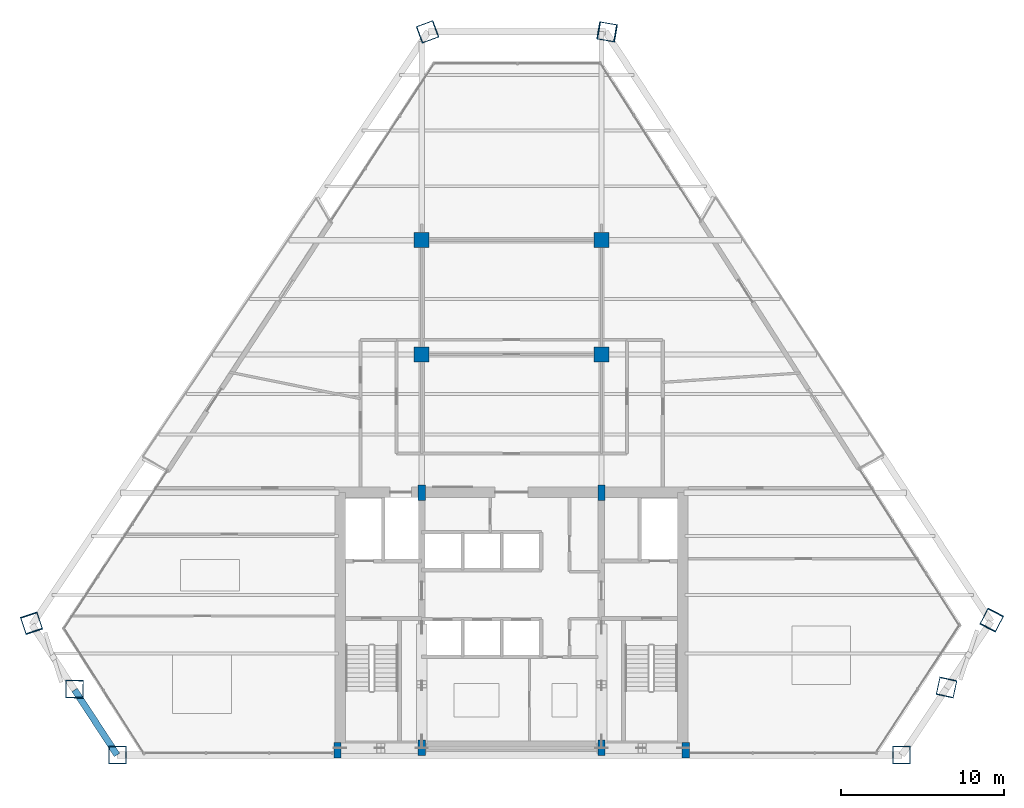
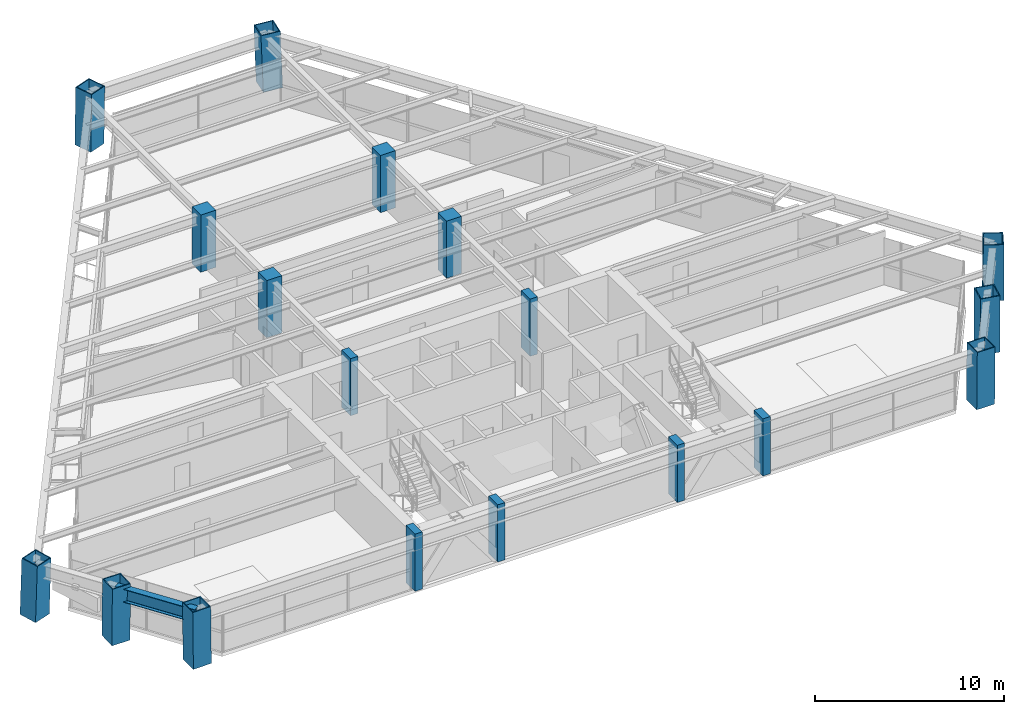
# One storey, part 1 of 14: 18 columns, 1 beam.
"""IFC4 building model written with IfcOpenShell, lengths in metres."""

from ifc_helpers import new_model, si_unit, direction, frame, origin, origin_2d, place, context, subcontext, project, spatial, rectangle, hollow_rectangle, i_section, extrude, source, transform, mapped, material, material_profile, profile_set, type_object, element, save


model = new_model("IFC4")

# Units and contexts
model_context = context("Model", 3, precision=1e-05, world=origin(), true_north=direction((0.0, 1.0)))
body_context = subcontext(model_context, "Body", "Model", "MODEL_VIEW")
ifc_project = project(units=[si_unit("LENGTHUNIT", "METRE"), si_unit("AREAUNIT", "SQUARE_METRE"), si_unit("VOLUMEUNIT", "CUBIC_METRE"), si_unit("PLANEANGLEUNIT", "RADIAN"), si_unit("MASSUNIT", "GRAM", prefix="KILO")], contexts=[model_context])

# Site, building, storey
site_placement = place(None, origin())
site = spatial("IfcSite", under=ifc_project, at=site_placement, CompositionType="ELEMENT")
building_placement = place(site_placement, origin())
building = spatial("IfcBuilding", under=site, at=building_placement, Name="Varnakhor Terracotta Tower", CompositionType="ELEMENT")
storey_placement = place(building_placement, frame((0.0, 0.0, 133.0)))
storey = spatial("IfcBuildingStorey", under=building, at=storey_placement, Name="L33", CompositionType="ELEMENT", Elevation=133.0)

# Columns
ifc_material_1 = material(Name="Concrete C50/60", Category="concrete")
ifc_material_profile_1 = material_profile(ifc_material_1, rectangle(XDim=0.449951171875, YDim=0.949951171875, at=origin_2d()), Name="RC PILASTER 950x450")
ifc_profile_set_1 = profile_set([ifc_material_profile_1], Name="Concrete C50/60")
column_type_1 = type_object("IfcColumnType", Name="COL-PIL-950x450", PredefinedType="PILASTER", material=ifc_profile_set_1)
shared_shape_1 = source(origin(), body_context, "Body", "SweptSolid", [
    extrude(rectangle(XDim=0.449951171875, YDim=0.949951171875, at=origin_2d()), origin(), (0.0, 0.0, 1.0), 3.699951171875),
])
for number, where, z_axis, x_axis, name in (
    (1, (-10.64990234375, 0.300048828125, 0.0), (0.0, 0.0, 1.0), (1.0, 0.0, 0.0), "L33 Core Pilaster CP1"),
    (2, (-5.5, 0.449951171875, 0.0), (0.0, 0.0, 1.0), (1.0, 0.0, 0.0), "L33 Core Pilaster CP2"),
    (3, (5.5, 0.449951171875, 0.0), (0.0, 0.0, 1.0), (1.0, 0.0, 0.0), "L33 Core Pilaster CP3"),
    (4, (10.64990234375, 0.300048828125, 0.0), (0.0, 0.0, 1.0), (1.0, 0.0, 0.0), "L33 Core Pilaster CP4"),
    (5, (-5.5, 16.050048828125, 0.0), (0.0, 0.0, 1.0), (1.0, 0.0, 0.0), "L33 Core Pilaster CP5"),
    (6, (5.5, 16.050048828125, 0.0), (0.0, 0.0, 1.0), (1.0, 0.0, 0.0), "L33 Core Pilaster CP6"),
):
    element("IfcColumn", number, at=place(storey_placement, frame(where, z_axis=z_axis, x_axis=x_axis)), inside=storey, type_object=column_type_1, Name=name, PredefinedType="PILASTER", context=body_context, shape_type="MappedRepresentation", body=[
        mapped(shared_shape_1, transform((0.0, 0.0, 0.0), scale=1.0)),
    ])
ifc_material_2 = material(Name="Steel S460", Category="steel")
ifc_material_profile_2 = material_profile(ifc_material_2, hollow_rectangle(XDim=1.10009765625, YDim=1.10009765625, WallThickness=0.054931640625, at=origin_2d()), Name="BOX 1100x1100x55")
ifc_profile_set_2 = profile_set([ifc_material_profile_2], Name="Steel S460")
column_type_2 = type_object("IfcColumnType", Name="COL-MEGA-1100", PredefinedType="COLUMN", material=ifc_profile_set_2)
shared_shape_2 = source(origin(), body_context, "Body", "SweptSolid", [
    extrude(hollow_rectangle(XDim=1.10009765625, YDim=1.10009765625, WallThickness=0.054931640625, at=origin_2d()), origin(), (0.0, 0.0, 1.0), 3.69140625),
])
for number, where, z_axis, x_axis, name in (
    (7, (-24.09814453125, 0.0, 0.00439453125), (-0.011375677672, 0.0, 0.999935294885), (0.0, -1.0, 0.0), "L33 Perimeter Mega-Column M1"),
    (8, (23.845703125, 0.0, 0.00439453125), (0.00919334122, 0.0, 0.999957740346), (0.0, 1.0, 0.0), "L33 Perimeter Mega-Column M2"),
):
    element("IfcColumn", number, at=place(storey_placement, frame(where, z_axis=z_axis, x_axis=x_axis)), inside=storey, type_object=column_type_2, Name=name, PredefinedType="COLUMN", context=body_context, shape_type="MappedRepresentation", body=[
        mapped(shared_shape_2, transform((0.0, 0.0, 0.0), scale=1.0)),
    ])
shared_shape_3 = source(origin(), body_context, "Body", "SweptSolid", [
    extrude(hollow_rectangle(XDim=1.10009765625, YDim=1.10009765625, WallThickness=0.054931640625, at=origin_2d()), origin(), (0.0, 0.0, 1.0), 3.691650390625),
])
for number, where, z_axis, x_axis, name in (
    (9, (26.617431640625, 4.136474609375, 0.00439453125), (-0.003372815839, -0.015475272673, 0.999874562157), (0.977063170927, -0.212949665458, 0.0), "L33 Perimeter Mega-Column M3"),
    (10, (-5.150390625, 44.243896484375, 0.00439453125), (0.016466805318, 0.00608412084, 0.999845902025), (-0.346578086193, 0.938021124587, 0.0), "L33 Perimeter Mega-Column M6"),
    (11, (-26.740478515625, 4.041015625, 0.00439453125), (-0.000330665917, -0.016268763123, 0.999867600238), (0.999793507033, -0.020321006241, 0.0), "L33 Perimeter Mega-Column M8"),
):
    element("IfcColumn", number, at=place(storey_placement, frame(where, z_axis=z_axis, x_axis=x_axis)), inside=storey, type_object=column_type_2, Name=name, PredefinedType="COLUMN", context=body_context, shape_type="MappedRepresentation", body=[
        mapped(shared_shape_3, transform((0.0, 0.0, 0.0), scale=1.0)),
    ])
shared_shape_4 = source(origin(), body_context, "Body", "SweptSolid", [
    extrude(hollow_rectangle(XDim=1.10009765625, YDim=1.10009765625, WallThickness=0.054931640625, at=origin_2d()), origin(), (0.0, 0.0, 1.0), 3.693359375),
])
for number, where, z_axis, x_axis, name in (
    (12, (29.389404296875, 8.272705078125, 0.00439453125), (-0.015996704859, -0.030803572166, 0.999397441149), (0.887466118789, -0.460872962976, 0.0), "L33 Perimeter Mega-Column M4"),
    (13, (-29.383056640625, 8.08203125, 0.00439453125), (0.010840902245, -0.032522706734, 0.999412201439), (0.948683298051, 0.316227766017, 0.0), "L33 Perimeter Mega-Column M7"),
):
    element("IfcColumn", number, at=place(storey_placement, frame(where, z_axis=z_axis, x_axis=x_axis)), inside=storey, type_object=column_type_2, Name=name, PredefinedType="COLUMN", context=body_context, shape_type="MappedRepresentation", body=[
        mapped(shared_shape_4, transform((0.0, 0.0, 0.0), scale=1.0)),
    ])
ifc_material_profile_3 = material_profile(ifc_material_1, rectangle(XDim=0.919921875, YDim=0.919921875, at=origin_2d()), Name="RC 920x920")
ifc_profile_set_3 = profile_set([ifc_material_profile_3], Name="Concrete C50/60")
column_type_3 = type_object("IfcColumnType", Name="COL-RC-920", PredefinedType="COLUMN", material=ifc_profile_set_3)
shared_shape_5 = source(origin(), body_context, "Body", "SweptSolid", [
    extrude(rectangle(XDim=0.919921875, YDim=0.919921875, at=origin_2d()), origin(), (0.0, 0.0, 1.0), 3.699951171875),
])
for number, where, z_axis, x_axis, name in (
    (14, (-5.5, 24.5, 0.0), (0.0, 0.0, 1.0), (1.0, 0.0, 0.0), "L33 Interior Tower Column IC1"),
    (15, (5.5, 24.5, 0.0), (0.0, 0.0, 1.0), (1.0, 0.0, 0.0), "L33 Interior Tower Column IC2"),
    (16, (-5.5, 31.5, 0.0), (0.0, 0.0, 1.0), (1.0, 0.0, 0.0), "L33 Interior Tower Column IC3"),
    (17, (5.5, 31.5, 0.0), (0.0, 0.0, 1.0), (1.0, 0.0, 0.0), "L33 Interior Tower Column IC4"),
):
    element("IfcColumn", number, at=place(storey_placement, frame(where, z_axis=z_axis, x_axis=x_axis)), inside=storey, type_object=column_type_3, Name=name, PredefinedType="COLUMN", context=body_context, shape_type="MappedRepresentation", body=[
        mapped(shared_shape_5, transform((0.0, 0.0, 0.0), scale=1.0)),
    ])
shared_shape_6 = source(origin(), body_context, "Body", "SweptSolid", [
    extrude(hollow_rectangle(XDim=1.10009765625, YDim=1.10009765625, WallThickness=0.054931640625, at=origin_2d()), origin(), (0.0, 0.0, 1.0), 3.693603515625),
])
column_placement = place(storey_placement, frame((5.867431640625, 44.243896484375, 0.00439453125), z_axis=(-0.035825256023, 0.006081039768, 0.999339567908), x_axis=(-0.167347981633, -0.985897891794, 0.0)))
element("IfcColumn", 18, at=column_placement, inside=storey, type_object=column_type_2, Name="L33 Perimeter Mega-Column M5", PredefinedType="COLUMN", context=body_context, shape_type="MappedRepresentation", body=[
    mapped(shared_shape_6, transform((0.0, 0.0, 0.0), scale=1.0)),
])

# Beam
ifc_material_3 = material(Name="Steel S355", Category="steel")
ifc_material_profile_4 = material_profile(ifc_material_3, i_section(OverallWidth=0.39990234375, OverallDepth=0.85498046875, WebThickness=0.01806640625, FlangeThickness=0.029052734375, FilletRadius=0.01806640625, at=origin_2d()), Name="W33X201")
ifc_profile_set_4 = profile_set([ifc_material_profile_4], Name="Steel S355")
beam_type = type_object("IfcBeamType", Name="BM-W33X201", PredefinedType="BEAM", material=ifc_profile_set_4)
shared_shape_7 = source(origin(), body_context, "Body", "SweptSolid", [
    extrude(i_section(OverallWidth=0.39990234375, OverallDepth=0.85498046875, WebThickness=0.01806640625, FlangeThickness=0.029052734375, FilletRadius=0.01806640625, at=origin_2d()), origin(), (0.0, 0.0, 1.0), 4.755615234375),
])
beam_placement = place(storey_placement, frame((-26.74169921875, 3.98095703125, 3.04248046875), z_axis=(0.547047403665, -0.837101629519, 0.0), x_axis=(0.837101629519, 0.547047403665, 0.0)))
element("IfcBeam", 19, at=beam_placement, inside=storey, type_object=beam_type, Name="L33 Perimeter Spandrel 8", PredefinedType="BEAM", context=body_context, shape_type="MappedRepresentation", body=[
    mapped(shared_shape_7, transform((0.0, 0.0, 0.0), scale=1.0)),
])

save(model, "model.ifc")
